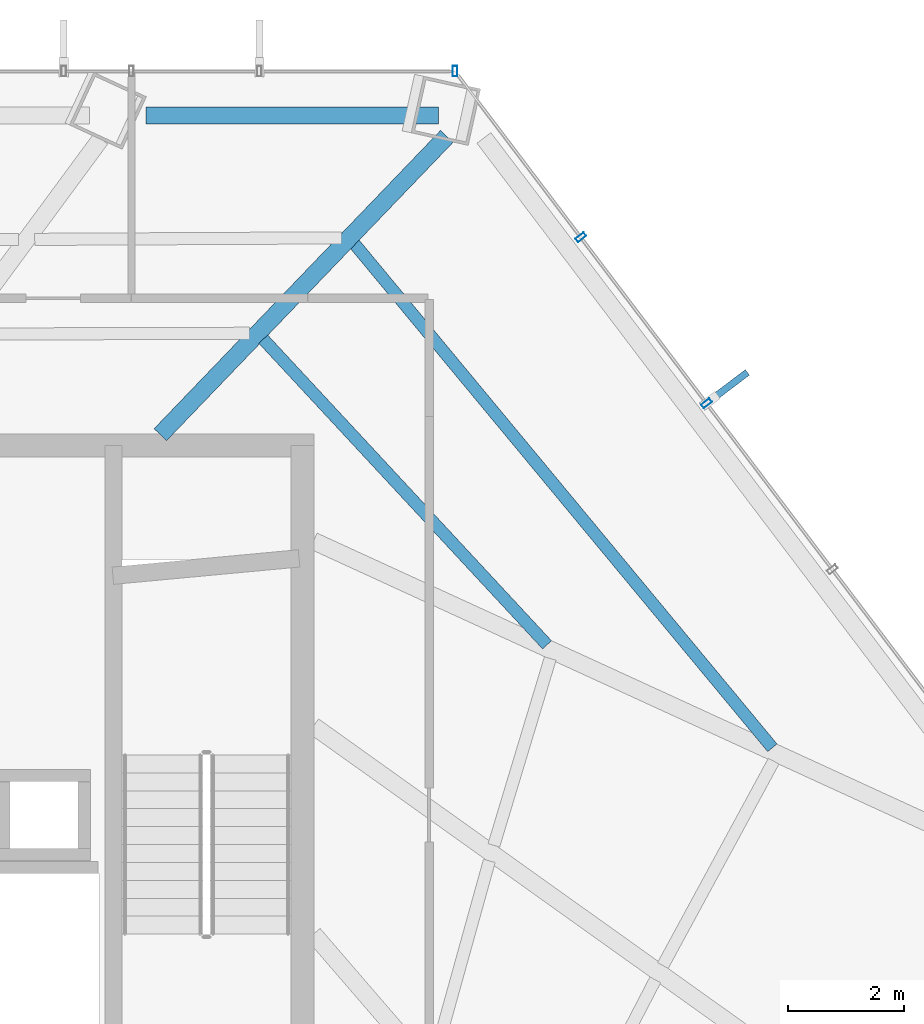
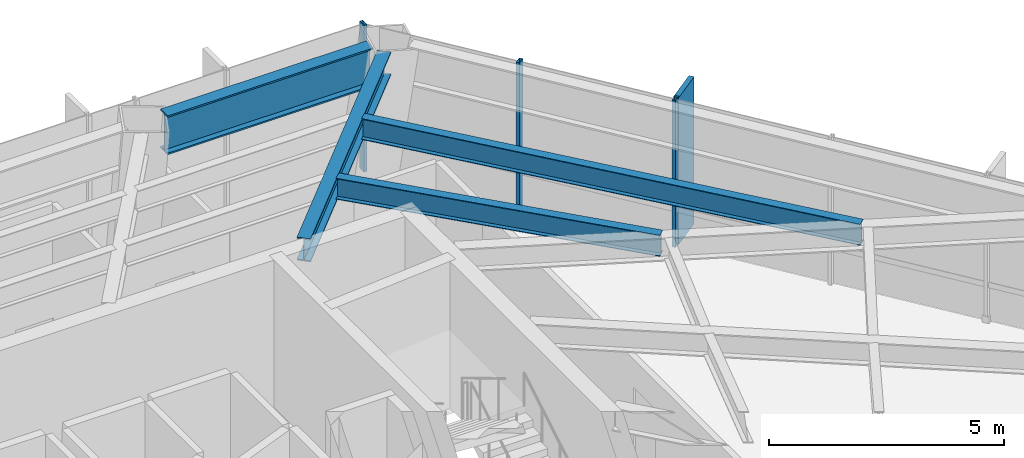
# One storey, part 21 of 26: 4 beams, 4 members, 2 elements without a shape of their own.
"""IFC4 building model written with IfcOpenShell, lengths in metres."""

from ifc_helpers import new_model, si_unit, direction, frame, origin, origin_2d, place, context, subcontext, project, spatial, rectangle, hollow_rectangle, i_section, extrude, material, layer, layer_set, material_profile, profile_set, type_object, element, aggregate, save


model = new_model("IFC4")

# Units and contexts
model_context = context("Model", 3, precision=1e-05, world=origin(), true_north=direction((0.0, 1.0)))
body_context = subcontext(model_context, "Body", "Model", "MODEL_VIEW")
ifc_project = project(units=[si_unit("LENGTHUNIT", "METRE"), si_unit("AREAUNIT", "SQUARE_METRE"), si_unit("VOLUMEUNIT", "CUBIC_METRE"), si_unit("PLANEANGLEUNIT", "RADIAN"), si_unit("MASSUNIT", "GRAM", prefix="KILO")], contexts=[model_context])

# Site, building, storey
site_placement = place(None, origin())
site = spatial("IfcSite", under=ifc_project, at=site_placement, CompositionType="ELEMENT")
building_placement = place(site_placement, origin())
building = spatial("IfcBuilding", under=site, at=building_placement, Name="Zarrinselat Tower", CompositionType="ELEMENT")
storey_placement = place(building_placement, frame((0.0, 0.0, 60.179931640625)))
storey = spatial("IfcBuildingStorey", under=building, at=storey_placement, Name="L14", CompositionType="ELEMENT", Elevation=60.179931640625)

# Beams
ifc_material_1 = material(Name="Steel S355J2", Category="steel")
ifc_material_profile_1 = material_profile(ifc_material_1, i_section(OverallWidth=0.300048828125, OverallDepth=0.60009765625, WebThickness=0.015380859375, FlangeThickness=0.030029296875, at=origin_2d()), Name="HEB 600")
ifc_profile_set_1 = profile_set([ifc_material_profile_1], Name="Steel S355J2")
beam_type_1 = type_object("IfcBeamType", Name="BM-HEB600", PredefinedType="BEAM", material=ifc_profile_set_1)
beam_1_placement = place(storey_placement, frame((45.800048828125, 43.639892578125, 3.52001953125), z_axis=(0.692696633035, 0.721229072197, 0.0), x_axis=(-0.721229072197, 0.692696633035, 0.0)))
element("IfcBeam", 1, at=beam_1_placement, inside=storey, type_object=beam_type_1, Name="L14 Radial Primary Girder RG01", PredefinedType="BEAM", context=body_context, shape_type="SweptSolid", body=[
    extrude(i_section(OverallWidth=0.300048828125, OverallDepth=0.60009765625, WebThickness=0.015380859375, FlangeThickness=0.030029296875, at=origin_2d()), origin(), (0.0, 0.0, 1.0), 7.1533203125),
])
ifc_material_2 = material(Name="Steel S460M", Category="steel")
ifc_material_profile_2 = material_profile(ifc_material_2, i_section(OverallWidth=0.302001953125, OverallDepth=1.008056640625, WebThickness=0.02099609375, FlangeThickness=0.0400390625, at=origin_2d()), Name="HEM 1000")
ifc_profile_set_2 = profile_set([ifc_material_profile_2], Name="Steel S460M")
beam_type_2 = type_object("IfcBeamType", Name="BM-HEM1000", PredefinedType="BEAM", material=ifc_profile_set_2)
beam_2_placement = place(storey_placement, frame((45.55517578125, 49.1611328125, 3.316162109375), z_axis=(1.0, 0.0, 0.0), x_axis=(0.0, 1.0, 0.0)))
element("IfcBeam", 2, at=beam_2_placement, inside=storey, type_object=beam_type_2, Name="L14 Perimeter Spandrel Girder SP01", PredefinedType="BEAM", context=body_context, shape_type="SweptSolid", body=[
    extrude(i_section(OverallWidth=0.302001953125, OverallDepth=1.008056640625, WebThickness=0.02099609375, FlangeThickness=0.0400390625, at=origin_2d()), origin(), (0.0, 0.0, 1.0), 5.059814453125),
])
ifc_material_3 = material(Name="Steel S355J2", Category="steel")
ifc_material_profile_3 = material_profile(ifc_material_3, i_section(OverallWidth=0.2099609375, OverallDepth=0.550048828125, WebThickness=0.010986328125, FlangeThickness=0.01708984375, at=origin_2d()), Name="IPE 550")
ifc_profile_set_3 = profile_set([ifc_material_profile_3], Name="Steel S355J2")
beam_type_3 = type_object("IfcBeamType", Name="BM-IPE550", PredefinedType="JOIST", material=ifc_profile_set_3)
beam_3_placement = place(storey_placement, frame((49.159912109375, 46.937255859375, 3.545166015625), z_axis=(0.638383864469, -0.76971815724, 0.0), x_axis=(0.76971815724, 0.638383864469, 0.0)))
element("IfcBeam", 3, at=beam_3_placement, inside=storey, type_object=beam_type_3, Name="L14 Composite Floor Joist 6-1", PredefinedType="JOIST", context=body_context, shape_type="SweptSolid", body=[
    extrude(i_section(OverallWidth=0.2099609375, OverallDepth=0.550048828125, WebThickness=0.010986328125, FlangeThickness=0.01708984375, at=origin_2d()), origin(), (0.0, 0.0, 1.0), 11.32080078125),
])
beam_4_placement = place(storey_placement, frame((47.580078125, 45.29150390625, 3.545166015625), z_axis=(0.68046537645, -0.732780234076, 0.0), x_axis=(0.732780234076, 0.68046537645, 0.0)))
element("IfcBeam", 4, at=beam_4_placement, inside=storey, type_object=beam_type_3, Name="L14 Composite Floor Joist 6-2", PredefinedType="JOIST", context=body_context, shape_type="SweptSolid", body=[
    extrude(i_section(OverallWidth=0.2099609375, OverallDepth=0.550048828125, WebThickness=0.010986328125, FlangeThickness=0.01708984375, at=origin_2d()), origin(), (0.0, 0.0, 1.0), 7.21484375),
])

# Curtain wall, member
ifc_material_4 = material(Name="Extruded Aluminium Alloy EN AW-6063 T6", Category="aluminium")
ifc_layer = layer(ifc_material_4, 0.18505859375)
ifc_layer_set = layer_set([ifc_layer], Name="Extruded Aluminium Alloy EN AW-6063 T6")
curtain_wall_type = type_object("IfcCurtainWallType", Name="CWS-OFF", PredefinedType="NOTDEFINED", material=ifc_layer_set)
curtain_wall_1_placement = place(storey_placement, origin())
curtain_wall_1 = element("IfcCurtainWall", 5, at=curtain_wall_1_placement, inside=storey, type_object=curtain_wall_type, Name="L14 Unitised Curtain Wall CW-L14-E01", PredefinedType="NOTDEFINED")
ifc_material_5 = material(Name="Extruded Aluminium Alloy EN AW-6063 T6", Category="aluminium")
ifc_material_profile_4 = material_profile(ifc_material_5, hollow_rectangle(XDim=0.080078125, YDim=0.179931640625, WallThickness=0.0048828125, at=origin_2d()), Name="RHS 180x80x5")
ifc_profile_set_4 = profile_set([ifc_material_profile_4], Name="Extruded Aluminium Alloy EN AW-6063 T6")
member_type_1 = type_object("IfcMemberType", Name="MEM-CW-MUL", PredefinedType="MULLION", material=ifc_profile_set_4)
member_1_placement = place(storey_placement, frame((50.897216796875, 49.927734375, 0.0), z_axis=(0.0, 0.0, 1.0), x_axis=(-1.0, 0.0, 0.0)))
member_1 = element("IfcMember", 6, at=member_1_placement, type_object=member_type_1, Name="CW-L14-E01 Mullion 0", PredefinedType="MULLION", context=body_context, shape_type="SweptSolid", body=[
    extrude(hollow_rectangle(XDim=0.080078125, YDim=0.179931640625, WallThickness=0.0048828125, at=origin_2d()), origin(), (0.0, 0.0, 1.0), 3.820068359375),
])
aggregate(curtain_wall_1, [member_1])

# Curtain wall, members
curtain_wall_2_placement = place(storey_placement, origin())
curtain_wall_2 = element("IfcCurtainWall", 7, at=curtain_wall_2_placement, inside=storey, type_object=curtain_wall_type, Name="L14 Unitised Curtain Wall CW-L14-E06", PredefinedType="NOTDEFINED")
member_2_placement = place(storey_placement, frame((55.249267578125, 44.18310546875, 0.0), z_axis=(0.0, 0.0, 1.0), x_axis=(-0.603856726294, 0.797092876715, 0.0)))
member_2 = element("IfcMember", 8, at=member_2_placement, type_object=member_type_1, Name="CW-L14-E06 Mullion 3", PredefinedType="MULLION", context=body_context, shape_type="SweptSolid", body=[
    extrude(hollow_rectangle(XDim=0.080078125, YDim=0.179931640625, WallThickness=0.0048828125, at=origin_2d()), origin(), (0.0, 0.0, 1.0), 3.820068359375),
])
member_3_placement = place(storey_placement, frame((53.0732421875, 47.055419921875, 0.0), z_axis=(0.0, 0.0, 1.0), x_axis=(-0.603856726294, 0.797092876715, 0.0)))
member_3 = element("IfcMember", 9, at=member_3_placement, type_object=member_type_1, Name="CW-L14-E06 Mullion 4", PredefinedType="MULLION", context=body_context, shape_type="SweptSolid", body=[
    extrude(hollow_rectangle(XDim=0.080078125, YDim=0.179931640625, WallThickness=0.0048828125, at=origin_2d()), origin(), (0.0, 0.0, 1.0), 3.820068359375),
])
ifc_material_6 = material(Name="Honed Cream Travertine Stone", Category="masonry")
ifc_material_profile_5 = material_profile(ifc_material_6, rectangle(XDim=0.1201171875, YDim=0.85009765625, at=origin_2d()), Name="FIN 850x120")
ifc_profile_set_5 = profile_set([ifc_material_profile_5], Name="Honed Cream Travertine Stone")
member_type_2 = type_object("IfcMemberType", Name="MEM-STONE-FIN", PredefinedType="USERDEFINED", material=ifc_profile_set_5)
member_4_placement = place(storey_placement, frame((55.615966796875, 44.460693359375, 0.0), z_axis=(0.0, 0.0, 1.0), x_axis=(0.603856726294, -0.797092876715, 0.0)))
member_4 = element("IfcMember", 10, at=member_4_placement, type_object=member_type_2, Name="L14 Stone Shading Fin CW-L14-E06-03", ObjectType="FIN", PredefinedType="USERDEFINED", context=body_context, shape_type="SweptSolid", body=[
    extrude(rectangle(XDim=0.1201171875, YDim=0.85009765625, at=origin_2d()), origin(), (0.0, 0.0, 1.0), 3.820068359375),
])
aggregate(curtain_wall_2, [member_2, member_4, member_3])

save(model, "model.ifc")
